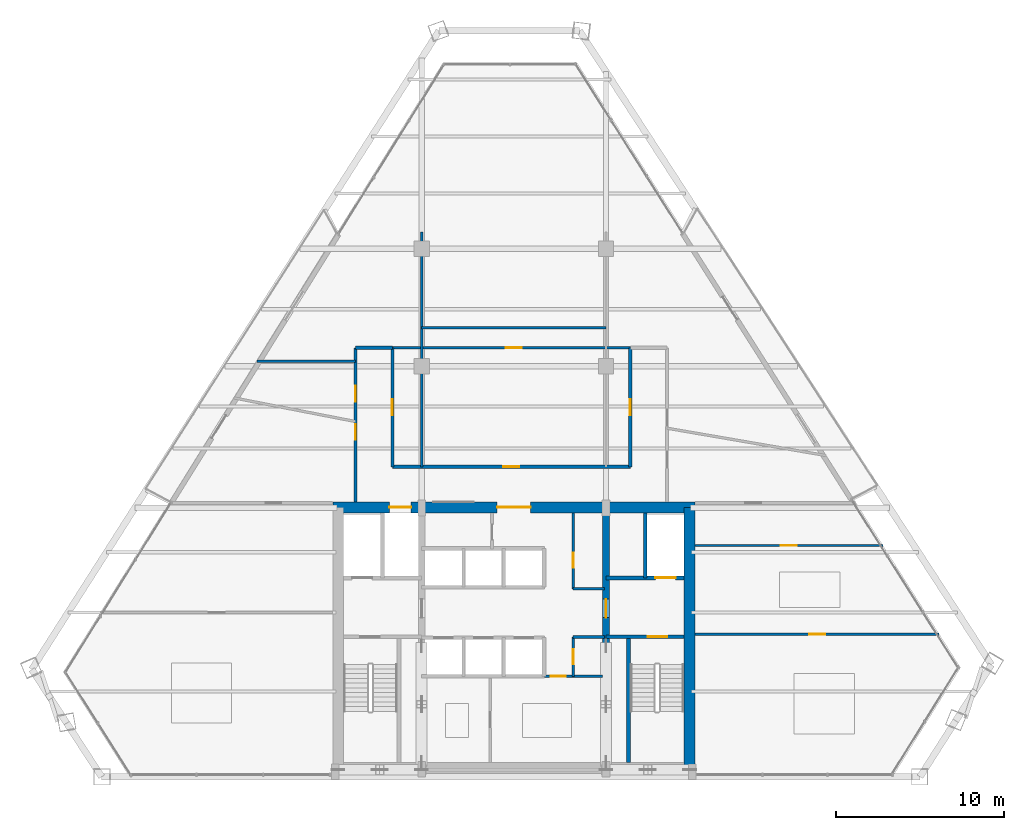
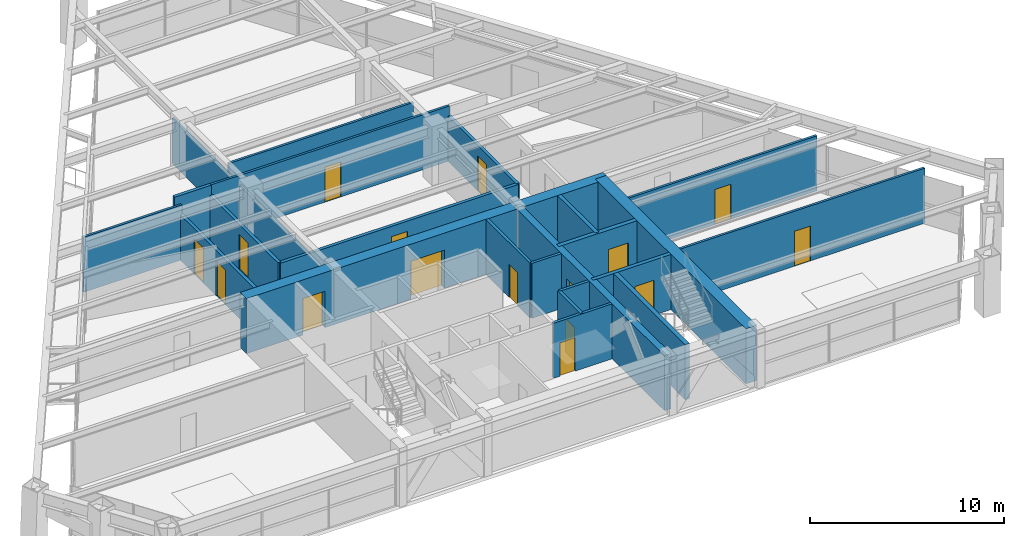
# One storey, part 12 of 15: 23 walls, 16 doors, 16 openings.
"""IFC4 building model written with IfcOpenShell, lengths in metres."""

from ifc_helpers import new_model, si_unit, direction, frame, frame_2d, origin, place, context, subcontext, project, spatial, rectangle, extrude, source, transform, mapped, material, layer, layer_set, type_object, type_shapes, element, fill, save


model = new_model("IFC4")

# Units and contexts
model_context = context("Model", 3, precision=1e-05, world=origin(), true_north=direction((0.0, 1.0)))
body_context = subcontext(model_context, "Body", "Model", "MODEL_VIEW")
ifc_project = project(units=[si_unit("LENGTHUNIT", "METRE"), si_unit("AREAUNIT", "SQUARE_METRE"), si_unit("VOLUMEUNIT", "CUBIC_METRE"), si_unit("PLANEANGLEUNIT", "RADIAN"), si_unit("MASSUNIT", "GRAM", prefix="KILO")], contexts=[model_context])

# Site, building, storey
site_placement = place(None, origin())
site = spatial("IfcSite", under=ifc_project, at=site_placement, CompositionType="ELEMENT")
building_placement = place(site_placement, origin())
building = spatial("IfcBuilding", under=site, at=building_placement, Name="Varnakhor Terracotta Tower", CompositionType="ELEMENT")
storey_placement = place(building_placement, frame((0.0, 0.0, 182.10009765625)))
storey = spatial("IfcBuildingStorey", under=building, at=storey_placement, Name="L46", CompositionType="ELEMENT", Elevation=182.10009765625)

# Wall, openings, doors
ifc_material_1 = material(Name="Concrete C50/60", Category="concrete")
ifc_layer_1 = layer(ifc_material_1, 0.64990234375, Name="Concrete C50/60")
ifc_layer_set_1 = layer_set([ifc_layer_1], Name="Concrete C50/60")
wall_type_1 = type_object("IfcWallType", Name="WAL-CORE-650", PredefinedType="SHEAR", material=ifc_layer_set_1)
wall_1_placement = place(storey_placement, frame((-10.800048828125, 16.074951171875, 0.0), z_axis=(0.0, 0.0, 1.0), x_axis=(1.0, 0.0, 0.0)))
wall_1 = element("IfcWall", 1, at=wall_1_placement, inside=storey, type_object=wall_type_1, Name="L46 North Core Shear Wall", PredefinedType="SHEAR", context=body_context, shape_type="SweptSolid", body=[
    extrude(rectangle(XDim=21.60009765625, YDim=0.64990234375, at=frame_2d((10.800048828125, 0.0))), origin(), (0.0, 0.0, 1.0), 3.469970703125),
])
opening_1_placement = place(wall_1_placement, frame((3.3701171875, 0.0, 0.0)))
opening_1 = element("IfcOpeningElement", 2, at=opening_1_placement, cuts=wall_1, Name="Opening LD-03", PredefinedType="OPENING", context=body_context, shape_type="SweptSolid", body=[
    extrude(rectangle(XDim=1.300048828125, YDim=2.300048828125, at=frame_2d((0.64990234375, 1.14990234375))), frame((0.0, 0.3349609375, 0.0), z_axis=(0.0, -1.0, 0.0), x_axis=(1.0, 0.0, 0.0)), (0.0, 0.0, 1.0), 0.669921875),
])
opening_2_placement = place(wall_1_placement, frame((9.800048828125, 0.0, 0.0)))
opening_2 = element("IfcOpeningElement", 3, at=opening_2_placement, cuts=wall_1, Name="Opening DR-32", PredefinedType="OPENING", context=body_context, shape_type="SweptSolid", body=[
    extrude(rectangle(XDim=2.0, YDim=2.39990234375, at=frame_2d((1.0, 1.199951171875))), frame((0.0, 0.3349609375, 0.0), z_axis=(0.0, -1.0, 0.0), x_axis=(1.0, 0.0, 0.0)), (0.0, 0.0, 1.0), 0.669921875),
])
ifc_material_2 = material(Name="Heavy-Duty Goods Sliding Lift Landing Door", Category="steel")
door_type_1 = type_object("IfcDoorType", Name="LD-SRV-1300X2300", OperationType="NOTDEFINED", PredefinedType="DOOR", material=ifc_material_2)
shared_shape_1 = source(origin(), body_context, "Body", "SweptSolid", [
    extrude(rectangle(XDim=1.300048828125, YDim=2.300048828125, at=frame_2d((0.64990234375, 1.14990234375))), frame((0.0, 0.02490234375, 0.0), z_axis=(0.0, -1.0, 0.0), x_axis=(1.0, 0.0, 0.0)), (0.0, 0.0, 1.0), 0.050048828125),
])
type_shapes(door_type_1, [shared_shape_1])
door_1_placement = place(opening_1_placement, origin())
door_1 = element("IfcDoor", 4, at=door_1_placement, inside=storey, type_object=door_type_1, Name="L46 Service Lift SVL-1 Landing Door", OperationType="SLIDING_TO_RIGHT", OverallHeight=2.300048828125, OverallWidth=1.300048828125, PredefinedType="DOOR", context=body_context, shape_type="MappedRepresentation", body=[
    mapped(shared_shape_1, transform((0.0, 0.0, 0.0), scale=1.0)),
])
fill(opening_1, door_1)
ifc_material_3 = material(Name="Acoustic Double Assembly Fire Door", Category="wood")
door_type_2 = type_object("IfcDoorType", Name="DR-HALL-2000X2400", OperationType="NOTDEFINED", PredefinedType="DOOR", material=ifc_material_3)
shared_shape_2 = source(origin(), body_context, "Body", "SweptSolid", [
    extrude(rectangle(XDim=2.0, YDim=2.39990234375, at=frame_2d((1.0, 1.199951171875))), frame((0.0, 0.02490234375, 0.0), z_axis=(0.0, -1.0, 0.0), x_axis=(1.0, 0.0, 0.0)), (0.0, 0.0, 1.0), 0.050048828125),
])
type_shapes(door_type_2, [shared_shape_2])
door_2_placement = place(opening_2_placement, origin())
door_2 = element("IfcDoor", 5, at=door_2_placement, inside=storey, type_object=door_type_2, Name="L46 Core Main Lobby Double Door", OperationType="DOUBLE_DOOR_SINGLE_SWING", OverallHeight=2.39990234375, OverallWidth=2.0, PredefinedType="DOOR", context=body_context, shape_type="MappedRepresentation", body=[
    mapped(shared_shape_2, transform((0.0, 0.0, 0.0), scale=1.0)),
])
fill(opening_2, door_2)

# Wall
wall_2_placement = place(storey_placement, frame((10.47509765625, 0.52490234375, 0.0), z_axis=(0.0, 0.0, 1.0), x_axis=(0.0, 1.0, 0.0)))
element("IfcWall", 6, at=wall_2_placement, inside=storey, type_object=wall_type_1, Name="L46 East Core Shear Wall", PredefinedType="SHEAR", context=body_context, shape_type="SweptSolid", body=[
    extrude(rectangle(XDim=15.550048828125, YDim=0.64990234375, at=frame_2d((7.77490234375, 0.0))), origin(), (0.0, 0.0, 1.0), 3.469970703125),
])

# Wall, opening, door
ifc_layer_2 = layer(ifc_material_1, 0.39990234375, Name="Concrete C50/60")
ifc_layer_set_2 = layer_set([ifc_layer_2], Name="Concrete C50/60")
wall_type_2 = type_object("IfcWallType", Name="WAL-CORE-WEB-400", PredefinedType="SHEAR", material=ifc_layer_set_2)
wall_3_placement = place(storey_placement, frame((5.5, 0.52490234375, 0.0), z_axis=(0.0, 0.0, 1.0), x_axis=(0.0, 1.0, 0.0)))
wall_3 = element("IfcWall", 7, at=wall_3_placement, inside=storey, type_object=wall_type_2, Name="L46 East Core Web Shear Wall", PredefinedType="SHEAR", context=body_context, shape_type="SweptSolid", body=[
    extrude(rectangle(XDim=15.550048828125, YDim=0.39990234375, at=frame_2d((7.77490234375, 0.0))), origin(), (0.0, 0.0, 1.0), 3.469970703125),
])
opening_3_placement = place(wall_3_placement, frame((8.97509765625, 0.0, 0.0)))
opening_3 = element("IfcOpeningElement", 8, at=opening_3_placement, cuts=wall_3, Name="Opening DR-25", PredefinedType="OPENING", context=body_context, shape_type="SweptSolid", body=[
    extrude(rectangle(XDim=1.10009765625, YDim=2.199951171875, at=frame_2d((0.550048828125, 1.10009765625))), frame((0.0, 0.2099609375, 0.0), z_axis=(0.0, -1.0, 0.0), x_axis=(1.0, 0.0, 0.0)), (0.0, 0.0, 1.0), 0.419921875),
])
ifc_material_4 = material(Name="Firefighting Lobby Self-Closing Fire Door", Category="steel")
door_type_3 = type_object("IfcDoorType", Name="DR-FFL-1100X2200", OperationType="NOTDEFINED", PredefinedType="DOOR", material=ifc_material_4)
shared_shape_3 = source(origin(), body_context, "Body", "SweptSolid", [
    extrude(rectangle(XDim=1.10009765625, YDim=2.199951171875, at=frame_2d((0.550048828125, 1.10009765625))), frame((0.0, 0.02490234375, 0.0), z_axis=(0.0, -1.0, 0.0), x_axis=(1.0, 0.0, 0.0)), (0.0, 0.0, 1.0), 0.050048828125),
])
type_shapes(door_type_3, [shared_shape_3])
door_3_placement = place(opening_3_placement, origin())
door_3 = element("IfcDoor", 9, at=door_3_placement, inside=storey, type_object=door_type_3, Name="L46 East Firefighting Lobby Door", OperationType="SINGLE_SWING_RIGHT", OverallHeight=2.199951171875, OverallWidth=1.10009765625, PredefinedType="DOOR", context=body_context, shape_type="MappedRepresentation", body=[
    mapped(shared_shape_3, transform((0.0, 0.0, 0.0), scale=1.0)),
])
fill(opening_3, door_3)

ifc_material_5 = material(Name="Fire-Rated Gypsum Stud Partition", Category="gypsum")
ifc_layer_3 = layer(ifc_material_5, 0.18505859375, Name="Fire-Rated Gypsum Stud Partition")
ifc_layer_set_3 = layer_set([ifc_layer_3], Name="Fire-Rated Gypsum Stud Partition")
wall_type_3 = type_object("IfcWallType", Name="WAL-CORR-185", PredefinedType="PARTITIONING", material=ifc_layer_set_3)
wall_4_placement = place(storey_placement, frame((-7.25, 18.5, 0.0), z_axis=(0.0, 0.0, 1.0), x_axis=(1.0, 0.0, 0.0)))
wall_4 = element("IfcWall", 10, at=wall_4_placement, inside=storey, type_object=wall_type_3, Name="L46 Central Gallery Link Wall", PredefinedType="PARTITIONING", context=body_context, shape_type="SweptSolid", body=[
    extrude(rectangle(XDim=14.199951171875, YDim=0.18505859375, at=frame_2d((7.10009765625, 0.0))), origin(), (0.0, 0.0, 1.0), 2.845947265625),
])
opening_4_placement = place(wall_4_placement, frame((6.625, 0.0, 0.0)))
opening_4 = element("IfcOpeningElement", 11, at=opening_4_placement, cuts=wall_4, Name="Opening DR-94", PredefinedType="OPENING", context=body_context, shape_type="SweptSolid", body=[
    extrude(rectangle(XDim=0.949951171875, YDim=2.199951171875, at=frame_2d((0.47509765625, 1.10009765625))), frame((0.0, 0.1025390625, 0.0), z_axis=(0.0, -1.0, 0.0), x_axis=(1.0, 0.0, 0.0)), (0.0, 0.0, 1.0), 0.205078125),
])
ifc_material_6 = material(Name="Acoustic Glazed-Vision Timber Office Door", Category="wood")
door_type_4 = type_object("IfcDoorType", Name="DR-OFF-950X2200", OperationType="NOTDEFINED", PredefinedType="DOOR", material=ifc_material_6)
shared_shape_4 = source(origin(), body_context, "Body", "SweptSolid", [
    extrude(rectangle(XDim=0.949951171875, YDim=2.199951171875, at=frame_2d((0.47509765625, 1.10009765625))), frame((0.0, 0.02490234375, 0.0), z_axis=(0.0, -1.0, 0.0), x_axis=(1.0, 0.0, 0.0)), (0.0, 0.0, 1.0), 0.050048828125),
])
type_shapes(door_type_4, [shared_shape_4])
door_4_placement = place(opening_4_placement, origin())
door_4 = element("IfcDoor", 12, at=door_4_placement, inside=storey, type_object=door_type_4, Name="L46 Center Suite Door", OperationType="SINGLE_SWING_RIGHT", OverallHeight=2.199951171875, OverallWidth=0.949951171875, PredefinedType="DOOR", context=body_context, shape_type="MappedRepresentation", body=[
    mapped(shared_shape_4, transform((0.0, 0.0, 0.0), scale=1.0)),
])
fill(opening_4, door_4)

wall_5_placement = place(storey_placement, frame((-7.25, 18.5, 0.0), z_axis=(0.0, 0.0, 1.0), x_axis=(0.0, 1.0, 0.0)))
wall_5 = element("IfcWall", 13, at=wall_5_placement, inside=storey, type_object=wall_type_3, Name="L46 West Gallery Inner Wall", PredefinedType="PARTITIONING", context=body_context, shape_type="SweptSolid", body=[
    extrude(rectangle(XDim=7.10009765625, YDim=0.18505859375, at=frame_2d((3.550048828125, 0.0))), origin(), (0.0, 0.0, 1.0), 2.845947265625),
])
opening_5_placement = place(wall_5_placement, frame((3.074951171875, 0.0, 0.0)))
opening_5 = element("IfcOpeningElement", 14, at=opening_5_placement, cuts=wall_5, Name="Opening DR-94", PredefinedType="OPENING", context=body_context, shape_type="SweptSolid", body=[
    extrude(rectangle(XDim=0.949951171875, YDim=2.199951171875, at=frame_2d((0.47509765625, 1.10009765625))), frame((0.0, 0.1025390625, 0.0), z_axis=(0.0, -1.0, 0.0), x_axis=(1.0, 0.0, 0.0)), (0.0, 0.0, 1.0), 0.205078125),
])
door_5_placement = place(opening_5_placement, origin())
door_5 = element("IfcDoor", 15, at=door_5_placement, inside=storey, type_object=door_type_4, Name="L46 Partner Office 1 B10 Door", OperationType="SINGLE_SWING_RIGHT", OverallHeight=2.199951171875, OverallWidth=0.949951171875, PredefinedType="DOOR", context=body_context, shape_type="MappedRepresentation", body=[
    mapped(shared_shape_4, transform((0.0, 0.0, 0.0), scale=1.0)),
])
fill(opening_5, door_5)

wall_6_placement = place(storey_placement, frame((6.949951171875, 18.5, 0.0), z_axis=(0.0, 0.0, 1.0), x_axis=(0.0, 1.0, 0.0)))
wall_6 = element("IfcWall", 16, at=wall_6_placement, inside=storey, type_object=wall_type_3, Name="L46 East Gallery Inner Wall", PredefinedType="PARTITIONING", context=body_context, shape_type="SweptSolid", body=[
    extrude(rectangle(XDim=7.10009765625, YDim=0.18505859375, at=frame_2d((3.550048828125, 0.0))), origin(), (0.0, 0.0, 1.0), 2.845947265625),
])
opening_6_placement = place(wall_6_placement, frame((3.074951171875, 0.0, 0.0)))
opening_6 = element("IfcOpeningElement", 17, at=opening_6_placement, cuts=wall_6, Name="Opening DR-94", PredefinedType="OPENING", context=body_context, shape_type="SweptSolid", body=[
    extrude(rectangle(XDim=0.949951171875, YDim=2.199951171875, at=frame_2d((0.47509765625, 1.10009765625))), frame((0.0, 0.1025390625, 0.0), z_axis=(0.0, -1.0, 0.0), x_axis=(1.0, 0.0, 0.0)), (0.0, 0.0, 1.0), 0.205078125),
])
door_6_placement = place(opening_6_placement, origin())
door_6 = element("IfcDoor", 18, at=door_6_placement, inside=storey, type_object=door_type_4, Name="L46 Partner Office 5 B9 Door", OperationType="SINGLE_SWING_LEFT", OverallHeight=2.199951171875, OverallWidth=0.949951171875, PredefinedType="DOOR", context=body_context, shape_type="MappedRepresentation", body=[
    mapped(shared_shape_4, transform((0.0, 0.0, 0.0), scale=1.0)),
])
fill(opening_6, door_6)

# Wall, openings, doors
wall_7_placement = place(storey_placement, frame((-9.449951171875, 16.39990234375, 0.0), z_axis=(0.0, 0.0, 1.0), x_axis=(0.0, 1.0, 0.0)))
wall_7 = element("IfcWall", 19, at=wall_7_placement, inside=storey, type_object=wall_type_3, Name="L46 West Gallery Outer Wall", PredefinedType="PARTITIONING", context=body_context, shape_type="SweptSolid", body=[
    extrude(rectangle(XDim=9.2001953125, YDim=0.18505859375, at=frame_2d((4.60009765625, 0.0))), origin(), (0.0, 0.0, 1.0), 2.845947265625),
])
opening_7_placement = place(wall_7_placement, frame((3.698974609375, 0.0, 0.0)))
opening_7 = element("IfcOpeningElement", 20, at=opening_7_placement, cuts=wall_7, Name="Opening DR-94", PredefinedType="OPENING", context=body_context, shape_type="SweptSolid", body=[
    extrude(rectangle(XDim=0.949951171875, YDim=2.199951171875, at=frame_2d((0.47509765625, 1.10009765625))), frame((0.0, 0.1025390625, 0.0), z_axis=(0.0, -1.0, 0.0), x_axis=(1.0, 0.0, 0.0)), (0.0, 0.0, 1.0), 0.205078125),
])
opening_8_placement = place(wall_7_placement, frame((5.98681640625, 0.0, 0.0)))
opening_8 = element("IfcOpeningElement", 21, at=opening_8_placement, cuts=wall_7, Name="Opening DR-94", PredefinedType="OPENING", context=body_context, shape_type="SweptSolid", body=[
    extrude(rectangle(XDim=0.949951171875, YDim=2.199951171875, at=frame_2d((0.47509765625, 1.10009765625))), frame((0.0, 0.1025390625, 0.0), z_axis=(0.0, -1.0, 0.0), x_axis=(1.0, 0.0, 0.0)), (0.0, 0.0, 1.0), 0.205078125),
])
door_7_placement = place(opening_7_placement, origin())
door_7 = element("IfcDoor", 22, at=door_7_placement, inside=storey, type_object=door_type_4, Name="L46 West Wing Door", OperationType="SINGLE_SWING_LEFT", OverallHeight=2.199951171875, OverallWidth=0.949951171875, PredefinedType="DOOR", context=body_context, shape_type="MappedRepresentation", body=[
    mapped(shared_shape_4, transform((0.0, 0.0, 0.0), scale=1.0)),
])
fill(opening_7, door_7)
door_8_placement = place(opening_8_placement, origin())
door_8 = element("IfcDoor", 23, at=door_8_placement, inside=storey, type_object=door_type_4, Name="L46 Partner Office 2 Door", OperationType="SINGLE_SWING_LEFT", OverallHeight=2.199951171875, OverallWidth=0.949951171875, PredefinedType="DOOR", context=body_context, shape_type="MappedRepresentation", body=[
    mapped(shared_shape_4, transform((0.0, 0.0, 0.0), scale=1.0)),
])
fill(opening_8, door_8)

# Wall
wall_8_placement = place(storey_placement, frame((-9.449951171875, 25.60009765625, 0.0), z_axis=(0.0, 0.0, 1.0), x_axis=(1.0, 0.0, 0.0)))
element("IfcWall", 24, at=wall_8_placement, inside=storey, type_object=wall_type_3, Name="L46 West Gallery North End", PredefinedType="PARTITIONING", context=body_context, shape_type="SweptSolid", body=[
    extrude(rectangle(XDim=2.199951171875, YDim=0.18505859375, at=frame_2d((1.10009765625, 0.0))), origin(), (0.0, 0.0, 1.0), 3.4619140625),
])

# Wall, opening, door
ifc_material_7 = material(Name="Concrete C40/50", Category="concrete")
ifc_layer_4 = layer(ifc_material_7, 0.219970703125, Name="Concrete C40/50")
ifc_layer_set_4 = layer_set([ifc_layer_4], Name="Concrete C40/50")
wall_type_4 = type_object("IfcWallType", Name="WAL-FFLOBBY-220", PredefinedType="SOLIDWALL", material=ifc_layer_set_4)
wall_9_placement = place(storey_placement, frame((10.14990234375, 8.35009765625, 0.0), z_axis=(0.0, 0.0, 1.0), x_axis=(-1.0, 0.0, 0.0)))
wall_9 = element("IfcWall", 25, at=wall_9_placement, inside=storey, type_object=wall_type_4, Name="L46 East Firefighting Lobby Stair Wall", PredefinedType="SOLIDWALL", context=body_context, shape_type="SweptSolid", body=[
    extrude(rectangle(XDim=4.64990234375, YDim=0.219970703125, at=frame_2d((2.324951171875, 0.0))), origin(), (0.0, 0.0, 1.0), 3.469970703125),
])
opening_9_placement = place(wall_9_placement, frame((1.0, 0.0, 0.0)))
opening_9 = element("IfcOpeningElement", 26, at=opening_9_placement, cuts=wall_9, Name="Opening DR-34", PredefinedType="OPENING", context=body_context, shape_type="SweptSolid", body=[
    extrude(rectangle(XDim=1.14990234375, YDim=2.199951171875, at=frame_2d((0.574951171875, 1.10009765625))), frame((0.0, 0.1201171875, 0.0), z_axis=(0.0, -1.0, 0.0), x_axis=(1.0, 0.0, 0.0)), (0.0, 0.0, 1.0), 0.239990234375),
])
ifc_material_8 = material(Name="Self-Closing Smoke-Sealed Steel Fire Door", Category="steel")
door_type_5 = type_object("IfcDoorType", Name="DR-STAIR-1150X2200", OperationType="NOTDEFINED", PredefinedType="DOOR", material=ifc_material_8)
shared_shape_5 = source(origin(), body_context, "Body", "SweptSolid", [
    extrude(rectangle(XDim=1.14990234375, YDim=2.199951171875, at=frame_2d((0.574951171875, 1.10009765625))), frame((0.0, 0.02490234375, 0.0), z_axis=(0.0, -1.0, 0.0), x_axis=(1.0, 0.0, 0.0)), (0.0, 0.0, 1.0), 0.050048828125),
])
type_shapes(door_type_5, [shared_shape_5])
door_9_placement = place(opening_9_placement, origin())
door_9 = element("IfcDoor", 27, at=door_9_placement, inside=storey, type_object=door_type_5, Name="L46 Exit Stair ST-2 Fire Door", OperationType="SINGLE_SWING_LEFT", OverallHeight=2.199951171875, OverallWidth=1.14990234375, PredefinedType="DOOR", context=body_context, shape_type="MappedRepresentation", body=[
    mapped(shared_shape_5, transform((0.0, 0.0, 0.0), scale=1.0)),
])
fill(opening_9, door_9)

ifc_material_9 = material(Name="Acoustic Metal-Stud Partition", Category="gypsum")
ifc_layer_5 = layer(ifc_material_9, 0.139892578125, Name="Acoustic Metal-Stud Partition")
ifc_layer_set_5 = layer_set([ifc_layer_5], Name="Acoustic Metal-Stud Partition")
wall_type_5 = type_object("IfcWallType", Name="WAL-PART-140", PredefinedType="PARTITIONING", material=ifc_layer_set_5)
wall_10_placement = place(storey_placement, frame((-7.25, 25.60009765625, 0.0), z_axis=(0.0, 0.0, 1.0), x_axis=(1.0, 0.0, 0.0)))
wall_10 = element("IfcWall", 28, at=wall_10_placement, inside=storey, type_object=wall_type_5, Name="L46 Gallery Center Cap Wall", PredefinedType="PARTITIONING", context=body_context, shape_type="SweptSolid", body=[
    extrude(rectangle(XDim=14.199951171875, YDim=0.139892578125, at=frame_2d((7.10009765625, 0.0))), origin(), (0.0, 0.0, 1.0), 3.4619140625),
])
opening_10_placement = place(wall_10_placement, frame((6.767822265625, 0.0, 0.0)))
opening_10 = element("IfcOpeningElement", 29, at=opening_10_placement, cuts=wall_10, Name="Opening DR-94", PredefinedType="OPENING", context=body_context, shape_type="SweptSolid", body=[
    extrude(rectangle(XDim=0.949951171875, YDim=2.199951171875, at=frame_2d((0.47509765625, 1.10009765625))), frame((0.0, 0.080078125, 0.0), z_axis=(0.0, -1.0, 0.0), x_axis=(1.0, 0.0, 0.0)), (0.0, 0.0, 1.0), 0.159912109375),
])
door_10_placement = place(opening_10_placement, origin())
door_10 = element("IfcDoor", 30, at=door_10_placement, inside=storey, type_object=door_type_4, Name="L46 Staff Pantry Kitchen Door", OperationType="SINGLE_SWING_RIGHT", OverallHeight=2.199951171875, OverallWidth=0.949951171875, PredefinedType="DOOR", context=body_context, shape_type="MappedRepresentation", body=[
    mapped(shared_shape_4, transform((0.0, 0.0, 0.0), scale=1.0)),
])
fill(opening_10, door_10)

# Walls
wall_11_placement = place(storey_placement, frame((-5.5, 18.5, 0.0), z_axis=(0.0, 0.0, 1.0), x_axis=(0.0, 1.0, 0.0)))
element("IfcWall", 31, at=wall_11_placement, inside=storey, type_object=wall_type_5, Name="L46 Center West Column Wall", PredefinedType="PARTITIONING", context=body_context, shape_type="SweptSolid", body=[
    extrude(rectangle(XDim=14.0, YDim=0.139892578125, at=frame_2d((7.0, 0.0))), origin(), (0.0, 0.0, 1.0), 2.845947265625),
])
wall_12_placement = place(storey_placement, frame((-5.5, 26.800048828125, 0.0), z_axis=(0.0, 0.0, 1.0), x_axis=(1.0, 0.0, 0.0)))
element("IfcWall", 32, at=wall_12_placement, inside=storey, type_object=wall_type_5, Name="L46 Center Cross Cut 1", PredefinedType="PARTITIONING", context=body_context, shape_type="SweptSolid", body=[
    extrude(rectangle(XDim=11.0, YDim=0.139892578125, at=frame_2d((5.5, 0.0))), origin(), (0.0, 0.0, 1.0), 3.4619140625),
])
wall_13_placement = place(storey_placement, frame((-15.31787109375, 24.800048828125, 0.0), z_axis=(0.0, 0.0, 1.0), x_axis=(1.0, 0.0, 0.0)))
element("IfcWall", 33, at=wall_13_placement, inside=storey, type_object=wall_type_5, Name="L46 West Wing Cut 3", PredefinedType="PARTITIONING", context=body_context, shape_type="SweptSolid", body=[
    extrude(rectangle(XDim=5.867919921875, YDim=0.139892578125, at=frame_2d((2.93408203125, 0.0))), origin(), (0.0, 0.0, 1.0), 3.4619140625),
])

# Wall, opening, door
wall_14_placement = place(storey_placement, frame((10.820068359375, 8.5, 0.0), z_axis=(0.0, 0.0, 1.0), x_axis=(1.0, 0.0, 0.0)))
wall_14 = element("IfcWall", 34, at=wall_14_placement, inside=storey, type_object=wall_type_5, Name="L46 East Wing Cut 1", PredefinedType="PARTITIONING", context=body_context, shape_type="SweptSolid", body=[
    extrude(rectangle(XDim=14.563720703125, YDim=0.139892578125, at=frame_2d((7.28173828125, 0.0))), origin(), (0.0, 0.0, 1.0), 3.4619140625),
])
opening_11_placement = place(wall_14_placement, frame((6.79931640625, 0.0, 0.0)))
opening_11 = element("IfcOpeningElement", 35, at=opening_11_placement, cuts=wall_14, Name="Opening DR-94", PredefinedType="OPENING", context=body_context, shape_type="SweptSolid", body=[
    extrude(rectangle(XDim=0.949951171875, YDim=2.199951171875, at=frame_2d((0.47509765625, 1.10009765625))), frame((0.0, 0.080078125, 0.0), z_axis=(0.0, -1.0, 0.0), x_axis=(1.0, 0.0, 0.0)), (0.0, 0.0, 1.0), 0.159912109375),
])
door_11_placement = place(opening_11_placement, origin())
door_11 = element("IfcDoor", 36, at=door_11_placement, inside=storey, type_object=door_type_4, Name="L46 Partner Office 1 SE Door", OperationType="SINGLE_SWING_RIGHT", OverallHeight=2.199951171875, OverallWidth=0.949951171875, PredefinedType="DOOR", context=body_context, shape_type="MappedRepresentation", body=[
    mapped(shared_shape_4, transform((0.0, 0.0, 0.0), scale=1.0)),
])
fill(opening_11, door_11)

wall_15_placement = place(storey_placement, frame((10.820068359375, 13.800048828125, 0.0), z_axis=(0.0, 0.0, 1.0), x_axis=(1.0, 0.0, 0.0)))
wall_15 = element("IfcWall", 37, at=wall_15_placement, inside=storey, type_object=wall_type_5, Name="L46 East Wing Cut 2", PredefinedType="PARTITIONING", context=body_context, shape_type="SweptSolid", body=[
    extrude(rectangle(XDim=11.204345703125, YDim=0.139892578125, at=frame_2d((5.60205078125, 0.0))), origin(), (0.0, 0.0, 1.0), 3.4619140625),
])
opening_12_placement = place(wall_15_placement, frame((5.11962890625, 0.0, 0.0)))
opening_12 = element("IfcOpeningElement", 38, at=opening_12_placement, cuts=wall_15, Name="Opening DR-94", PredefinedType="OPENING", context=body_context, shape_type="SweptSolid", body=[
    extrude(rectangle(XDim=0.949951171875, YDim=2.199951171875, at=frame_2d((0.47509765625, 1.10009765625))), frame((0.0, 0.080078125, 0.0), z_axis=(0.0, -1.0, 0.0), x_axis=(1.0, 0.0, 0.0)), (0.0, 0.0, 1.0), 0.159912109375),
])
door_12_placement = place(opening_12_placement, origin())
door_12 = element("IfcDoor", 39, at=door_12_placement, inside=storey, type_object=door_type_4, Name="L46 Conference Room 1 B3 Door", OperationType="SINGLE_SWING_LEFT", OverallHeight=2.199951171875, OverallWidth=0.949951171875, PredefinedType="DOOR", context=body_context, shape_type="MappedRepresentation", body=[
    mapped(shared_shape_4, transform((0.0, 0.0, 0.0), scale=1.0)),
])
fill(opening_12, door_12)

# Walls
ifc_layer_6 = layer(ifc_material_7, 0.219970703125, Name="Concrete C40/50")
ifc_layer_set_6 = layer_set([ifc_layer_6], Name="Concrete C40/50")
wall_type_6 = type_object("IfcWallType", Name="WAL-SHAFT-220", PredefinedType="SOLIDWALL", material=ifc_layer_set_6)
wall_16_placement = place(storey_placement, frame((7.840087890625, 11.8701171875, 0.0), z_axis=(0.0, 0.0, 1.0), x_axis=(0.0, 1.0, 0.0)))
element("IfcWall", 40, at=wall_16_placement, inside=storey, type_object=wall_type_6, Name="L46 Lift FFL-2 and Riser Divider Wall", PredefinedType="SOLIDWALL", context=body_context, shape_type="SweptSolid", body=[
    extrude(rectangle(XDim=3.8798828125, YDim=0.219970703125, at=frame_2d((1.93994140625, 0.0))), origin(), (0.0, 0.0, 1.0), 3.469970703125),
])
ifc_layer_7 = layer(ifc_material_7, 0.25, Name="Concrete C40/50")
ifc_layer_set_7 = layer_set([ifc_layer_7], Name="Concrete C40/50")
wall_type_7 = type_object("IfcWallType", Name="WAL-SHAFT-250", PredefinedType="SOLIDWALL", material=ifc_layer_set_7)
wall_17_placement = place(storey_placement, frame((6.85009765625, 0.85009765625, 0.0), z_axis=(0.0, 0.0, 1.0), x_axis=(0.0, 1.0, 0.0)))
element("IfcWall", 41, at=wall_17_placement, inside=storey, type_object=wall_type_7, Name="L46 Stair ST-2 Bearing Shaft Wall", PredefinedType="SOLIDWALL", context=body_context, shape_type="SweptSolid", body=[
    extrude(rectangle(XDim=7.5, YDim=0.25, at=frame_2d((3.75, 0.0))), origin(), (0.0, 0.0, 1.0), 3.469970703125),
])

# Wall, opening, door
wall_18_placement = place(storey_placement, frame((10.14990234375, 11.8701171875, 0.0), z_axis=(0.0, 0.0, 1.0), x_axis=(-1.0, 0.0, 0.0)))
wall_18 = element("IfcWall", 42, at=wall_18_placement, inside=storey, type_object=wall_type_7, Name="L46 Lift FFL-2 Shaft Front Wall", PredefinedType="SOLIDWALL", context=body_context, shape_type="SweptSolid", body=[
    extrude(rectangle(XDim=4.64990234375, YDim=0.25, at=frame_2d((2.324951171875, 0.0))), origin(), (0.0, 0.0, 1.0), 3.469970703125),
])
opening_13_placement = place(wall_18_placement, frame((0.5, 0.0, 0.0)))
opening_13 = element("IfcOpeningElement", 43, at=opening_13_placement, cuts=wall_18, Name="Opening LD-02", PredefinedType="OPENING", context=body_context, shape_type="SweptSolid", body=[
    extrude(rectangle(XDim=1.199951171875, YDim=2.25, at=frame_2d((0.60009765625, 1.125))), frame((0.0, 0.135009765625, 0.0), z_axis=(0.0, -1.0, 0.0), x_axis=(1.0, 0.0, 0.0)), (0.0, 0.0, 1.0), 0.27001953125),
])
ifc_material_10 = material(Name="Firefighting Stretcher Sliding Lift Landing Door", Category="steel")
door_type_6 = type_object("IfcDoorType", Name="LD-FFL-1200X2250", OperationType="NOTDEFINED", PredefinedType="DOOR", material=ifc_material_10)
shared_shape_6 = source(origin(), body_context, "Body", "SweptSolid", [
    extrude(rectangle(XDim=1.199951171875, YDim=2.25, at=frame_2d((0.60009765625, 1.125))), frame((0.0, 0.02490234375, 0.0), z_axis=(0.0, -1.0, 0.0), x_axis=(1.0, 0.0, 0.0)), (0.0, 0.0, 1.0), 0.050048828125),
])
type_shapes(door_type_6, [shared_shape_6])
door_13_placement = place(opening_13_placement, origin())
door_13 = element("IfcDoor", 44, at=door_13_placement, inside=storey, type_object=door_type_6, Name="L46 Firefighting Lift FFL-2 Landing Door", OperationType="SLIDING_TO_RIGHT", OverallHeight=2.25, OverallWidth=1.199951171875, PredefinedType="DOOR", context=body_context, shape_type="MappedRepresentation", body=[
    mapped(shared_shape_6, transform((0.0, 0.0, 0.0), scale=1.0)),
])
fill(opening_13, door_13)

ifc_material_11 = material(Name="Acoustic Fire-Rated Partition", Category="gypsum")
ifc_layer_8 = layer(ifc_material_11, 0.1650390625, Name="Acoustic Fire-Rated Partition")
ifc_layer_set_8 = layer_set([ifc_layer_8], Name="Acoustic Fire-Rated Partition")
wall_type_8 = type_object("IfcWallType", Name="WAL-TENANCY-165", PredefinedType="PARTITIONING", material=ifc_layer_set_8)
wall_19_placement = place(storey_placement, frame((1.820068359375, 6.0, 0.0), z_axis=(0.0, 0.0, 1.0), x_axis=(1.0, 0.0, 0.0)))
wall_19 = element("IfcWall", 45, at=wall_19_placement, inside=storey, type_object=wall_type_8, Name="L46 Reclaimed Core Bay North Rated Wall", PredefinedType="PARTITIONING", context=body_context, shape_type="SweptSolid", body=[
    extrude(rectangle(XDim=3.47998046875, YDim=0.1650390625, at=frame_2d((1.739990234375, 0.0))), origin(), (0.0, 0.0, 1.0), 3.4619140625),
])
opening_14_placement = place(wall_19_placement, frame((0.3798828125, 0.0, 0.0)))
opening_14 = element("IfcOpeningElement", 46, at=opening_14_placement, cuts=wall_19, Name="Opening DR-67", PredefinedType="OPENING", context=body_context, shape_type="SweptSolid", body=[
    extrude(rectangle(XDim=0.89990234375, YDim=2.10009765625, at=frame_2d((0.449951171875, 1.050048828125))), frame((0.0, 0.092529296875, 0.0), z_axis=(0.0, -1.0, 0.0), x_axis=(1.0, 0.0, 0.0)), (0.0, 0.0, 1.0), 0.18505859375),
])
ifc_material_12 = material(Name="Steel Service Riser Fire Door", Category="steel")
door_type_7 = type_object("IfcDoorType", Name="DR-RISER-900X2100", OperationType="NOTDEFINED", PredefinedType="DOOR", material=ifc_material_12)
shared_shape_7 = source(origin(), body_context, "Body", "SweptSolid", [
    extrude(rectangle(XDim=0.89990234375, YDim=2.10009765625, at=frame_2d((0.449951171875, 1.050048828125))), frame((0.0, 0.02490234375, 0.0), z_axis=(0.0, -1.0, 0.0), x_axis=(1.0, 0.0, 0.0)), (0.0, 0.0, 1.0), 0.050048828125),
])
type_shapes(door_type_7, [shared_shape_7])
door_14_placement = place(opening_14_placement, origin())
door_14 = element("IfcDoor", 47, at=door_14_placement, inside=storey, type_object=door_type_7, Name="L46 Core Reclaimed Suite Door", OperationType="SINGLE_SWING_LEFT", OverallHeight=2.10009765625, OverallWidth=0.89990234375, PredefinedType="DOOR", context=body_context, shape_type="MappedRepresentation", body=[
    mapped(shared_shape_7, transform((0.0, 0.0, 0.0), scale=1.0)),
])
fill(opening_14, door_14)

wall_20_placement = place(storey_placement, frame((3.5400390625, 6.0, 0.0), z_axis=(0.0, 0.0, 1.0), x_axis=(0.0, 1.0, 0.0)))
wall_20 = element("IfcWall", 48, at=wall_20_placement, inside=storey, type_object=wall_type_8, Name="L46 Accessible WC Rated Wall", PredefinedType="PARTITIONING", context=body_context, shape_type="SweptSolid", body=[
    extrude(rectangle(XDim=2.340087890625, YDim=0.1650390625, at=frame_2d((1.169921875, 0.0))), origin(), (0.0, 0.0, 1.0), 3.4619140625),
])
opening_15_placement = place(wall_20_placement, frame((0.719970703125, 0.0, 0.0)))
opening_15 = element("IfcOpeningElement", 49, at=opening_15_placement, cuts=wall_20, Name="Opening DR-67", PredefinedType="OPENING", context=body_context, shape_type="SweptSolid", body=[
    extrude(rectangle(XDim=0.89990234375, YDim=2.10009765625, at=frame_2d((0.449951171875, 1.050048828125))), frame((0.0, 0.092529296875, 0.0), z_axis=(0.0, -1.0, 0.0), x_axis=(1.0, 0.0, 0.0)), (0.0, 0.0, 1.0), 0.18505859375),
])
door_15_placement = place(opening_15_placement, origin())
door_15 = element("IfcDoor", 50, at=door_15_placement, inside=storey, type_object=door_type_7, Name="L46 Accessible WC Door", OperationType="SINGLE_SWING_LEFT", OverallHeight=2.10009765625, OverallWidth=0.89990234375, PredefinedType="DOOR", context=body_context, shape_type="MappedRepresentation", body=[
    mapped(shared_shape_7, transform((0.0, 0.0, 0.0), scale=1.0)),
])
fill(opening_15, door_15)

# Wall
wall_21_placement = place(storey_placement, frame((3.5400390625, 8.340087890625, 0.0), z_axis=(0.0, 0.0, 1.0), x_axis=(1.0, 0.0, 0.0)))
element("IfcWall", 51, at=wall_21_placement, inside=storey, type_object=wall_type_8, Name="L46 Accessible WC North Wall", PredefinedType="PARTITIONING", context=body_context, shape_type="SweptSolid", body=[
    extrude(rectangle(XDim=1.8798828125, YDim=0.1650390625, at=frame_2d((0.93994140625, 0.0))), origin(), (0.0, 0.0, 1.0), 3.4619140625),
])

# Wall, opening, door
wall_22_placement = place(storey_placement, frame((3.5400390625, 11.219970703125, 0.0), z_axis=(0.0, 0.0, 1.0), x_axis=(0.0, 1.0, 0.0)))
wall_22 = element("IfcWall", 52, at=wall_22_placement, inside=storey, type_object=wall_type_8, Name="L46 Restroom Corridor Wall", PredefinedType="PARTITIONING", context=body_context, shape_type="SweptSolid", body=[
    extrude(rectangle(XDim=4.530029296875, YDim=0.1650390625, at=frame_2d((2.26513671875, 0.0))), origin(), (0.0, 0.0, 1.0), 3.4619140625),
])
opening_16_placement = place(wall_22_placement, frame((1.25, 0.0, 0.0)))
opening_16 = element("IfcOpeningElement", 53, at=opening_16_placement, cuts=wall_22, Name="Opening DR-67", PredefinedType="OPENING", context=body_context, shape_type="SweptSolid", body=[
    extrude(rectangle(XDim=0.89990234375, YDim=2.10009765625, at=frame_2d((0.449951171875, 1.050048828125))), frame((0.0, 0.092529296875, 0.0), z_axis=(0.0, -1.0, 0.0), x_axis=(1.0, 0.0, 0.0)), (0.0, 0.0, 1.0), 0.18505859375),
])
door_16_placement = place(opening_16_placement, origin())
door_16 = element("IfcDoor", 54, at=door_16_placement, inside=storey, type_object=door_type_7, Name="L46 Female WC Door", OperationType="SINGLE_SWING_LEFT", OverallHeight=2.10009765625, OverallWidth=0.89990234375, PredefinedType="DOOR", context=body_context, shape_type="MappedRepresentation", body=[
    mapped(shared_shape_7, transform((0.0, 0.0, 0.0), scale=1.0)),
])
fill(opening_16, door_16)

# Wall
wall_23_placement = place(storey_placement, frame((3.5400390625, 11.219970703125, 0.0), z_axis=(0.0, 0.0, 1.0), x_axis=(1.0, 0.0, 0.0)))
element("IfcWall", 55, at=wall_23_placement, inside=storey, type_object=wall_type_8, Name="L46 Restroom South Wall", PredefinedType="PARTITIONING", context=body_context, shape_type="SweptSolid", body=[
    extrude(rectangle(XDim=1.8798828125, YDim=0.1650390625, at=frame_2d((0.93994140625, 0.0))), origin(), (0.0, 0.0, 1.0), 3.4619140625),
])

save(model, "model.ifc")
